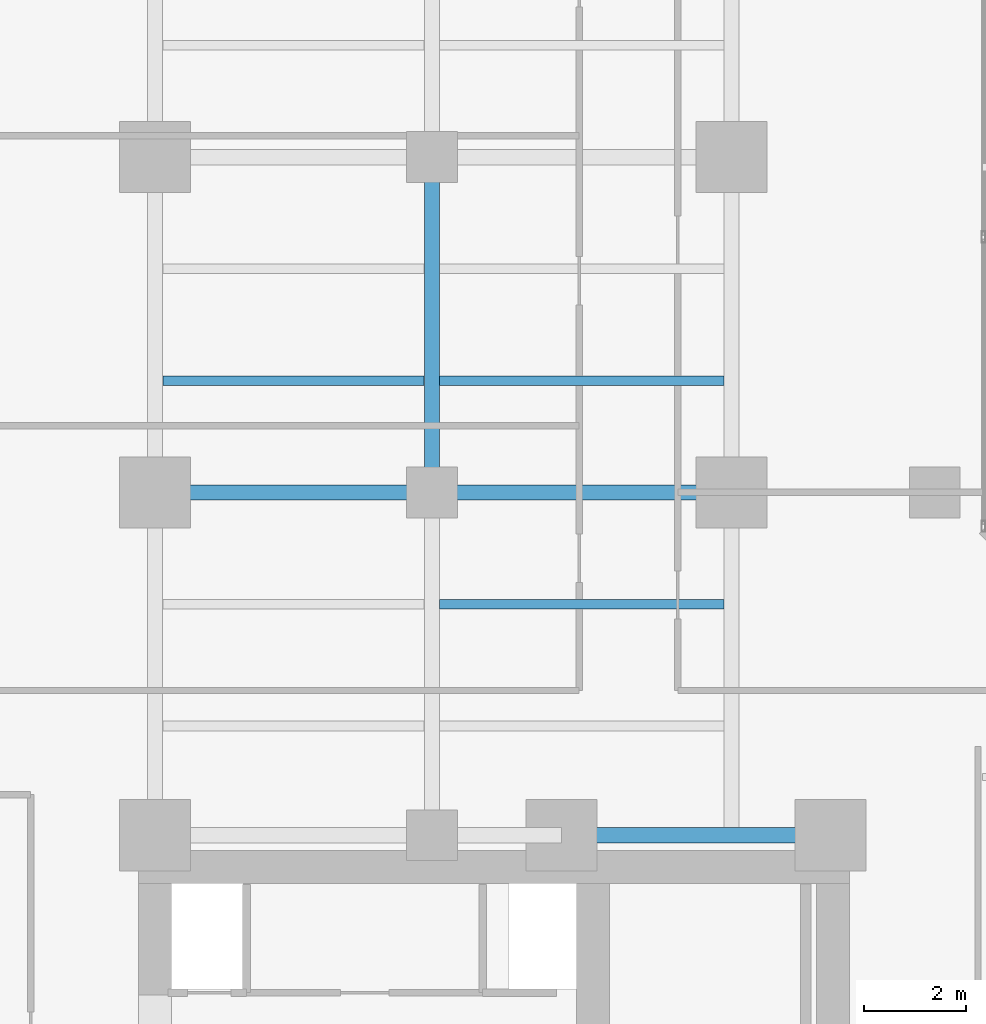
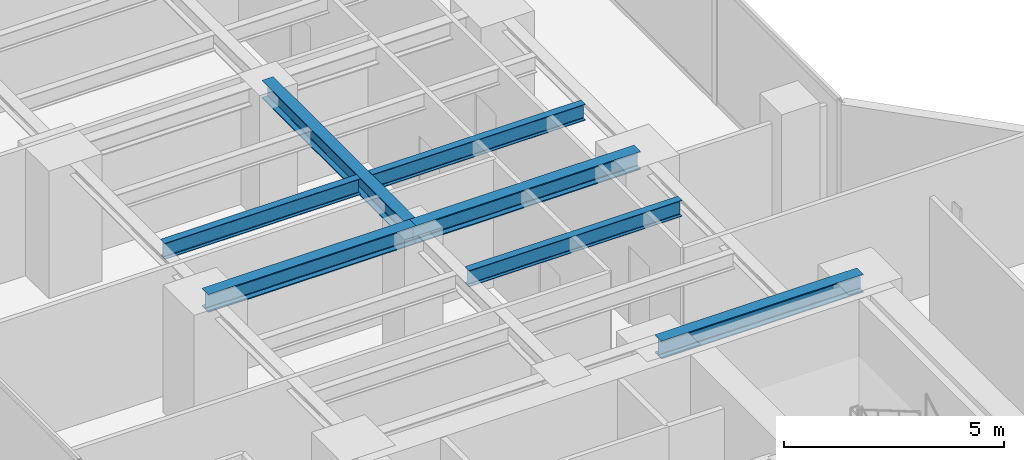
# One storey, part 8 of 24: 7 beams.
"""IFC4 building model written with IfcOpenShell, lengths in metres."""

from ifc_helpers import new_model, si_unit, direction, frame, origin, origin_2d, place, context, subcontext, project, spatial, i_section, extrude, material, material_profile, profile_set, type_object, element, save


model = new_model("IFC4")

# Units and contexts
model_context = context("Model", 3, precision=1e-05, world=origin(), true_north=direction((0.0, 1.0)))
body_context = subcontext(model_context, "Body", "Model", "MODEL_VIEW")
ifc_project = project(units=[si_unit("LENGTHUNIT", "METRE"), si_unit("AREAUNIT", "SQUARE_METRE"), si_unit("VOLUMEUNIT", "CUBIC_METRE"), si_unit("PLANEANGLEUNIT", "RADIAN"), si_unit("MASSUNIT", "GRAM", prefix="KILO")], contexts=[model_context])

# Site, building, storey
site_placement = place(None, origin())
site = spatial("IfcSite", under=ifc_project, at=site_placement, CompositionType="ELEMENT")
building_placement = place(site_placement, origin())
building = spatial("IfcBuilding", under=site, at=building_placement, Name="Kolvaren Waterfront Exchange", CompositionType="ELEMENT")
storey_placement = place(building_placement, frame((0.0, 0.0, 95.5)))
storey = spatial("IfcBuildingStorey", under=building, at=storey_placement, Name="L24", CompositionType="ELEMENT", Elevation=95.5)

# Beams
ifc_material = material(Name="Steel S355", Category="steel")
ifc_material_profile_1 = material_profile(ifc_material, i_section(OverallWidth=0.300048828125, OverallDepth=0.5, WebThickness=0.014404296875, FlangeThickness=0.028076171875, FilletRadius=0.027099609375, at=origin_2d()), Name="HEB500")
ifc_profile_set_1 = profile_set([ifc_material_profile_1], Name="Steel S355")
beam_type_1 = type_object("IfcBeamType", Name="STR-BM-HEB500", PredefinedType="BEAM", material=ifc_profile_set_1)
beam_1_placement = place(storey_placement, frame((15.449951171875, 24.449951171875, 3.2900390625), z_axis=(1.0, 0.0, 0.0), x_axis=(0.0, 1.0, 0.0)))
element("IfcBeam", 1, at=beam_1_placement, inside=storey, type_object=beam_type_1, Name="L24 north-arm girder 1C", PredefinedType="BEAM", context=body_context, shape_type="SweptSolid", body=[
    extrude(i_section(OverallWidth=0.300048828125, OverallDepth=0.5, WebThickness=0.014404296875, FlangeThickness=0.028076171875, FilletRadius=0.027099609375, at=origin_2d()), origin(), (0.0, 0.0, 1.0), 5.300048828125),
])
beam_2_placement = place(storey_placement, frame((7.449951171875, 31.199951171875, 3.2900390625), z_axis=(1.0, 0.0, 0.0), x_axis=(0.0, 1.0, 0.0)))
element("IfcBeam", 2, at=beam_2_placement, inside=storey, type_object=beam_type_1, Name="L24 north-arm girder 2A", PredefinedType="BEAM", context=body_context, shape_type="SweptSolid", body=[
    extrude(i_section(OverallWidth=0.300048828125, OverallDepth=0.5, WebThickness=0.014404296875, FlangeThickness=0.028076171875, FilletRadius=0.027099609375, at=origin_2d()), origin(), (0.0, 0.0, 1.0), 5.449951171875),
])
beam_3_placement = place(storey_placement, frame((12.89990234375, 31.199951171875, 3.2900390625), z_axis=(1.0, 0.0, 0.0), x_axis=(0.0, 1.0, 0.0)))
element("IfcBeam", 3, at=beam_3_placement, inside=storey, type_object=beam_type_1, Name="L24 north-arm girder 2B", PredefinedType="BEAM", context=body_context, shape_type="SweptSolid", body=[
    extrude(i_section(OverallWidth=0.300048828125, OverallDepth=0.5, WebThickness=0.014404296875, FlangeThickness=0.028076171875, FilletRadius=0.027099609375, at=origin_2d()), origin(), (0.0, 0.0, 1.0), 5.900146484375),
])
beam_4_placement = place(storey_placement, frame((12.89990234375, 31.199951171875, 3.2900390625), z_axis=(0.0, 1.0, 0.0), x_axis=(-1.0, 0.0, 0.0)))
element("IfcBeam", 4, at=beam_4_placement, inside=storey, type_object=beam_type_1, Name="L24 north-arm edge beam 2", PredefinedType="BEAM", context=body_context, shape_type="SweptSolid", body=[
    extrude(i_section(OverallWidth=0.300048828125, OverallDepth=0.5, WebThickness=0.014404296875, FlangeThickness=0.028076171875, FilletRadius=0.027099609375, at=origin_2d()), origin(), (0.0, 0.0, 1.0), 6.60009765625),
])
ifc_material_profile_2 = material_profile(ifc_material, i_section(OverallWidth=0.18994140625, OverallDepth=0.449951171875, WebThickness=0.009521484375, FlangeThickness=0.0146484375, FilletRadius=0.02099609375, at=origin_2d()), Name="IPE450")
ifc_profile_set_2 = profile_set([ifc_material_profile_2], Name="Steel S355")
beam_type_2 = type_object("IfcBeamType", Name="STR-BM-IPE450", PredefinedType="JOIST", material=ifc_profile_set_2)
beam_5_placement = place(storey_placement, frame((13.052001953125, 29.0, 3.31494140625), z_axis=(1.0, 0.0, 0.0), x_axis=(0.0, 1.0, 0.0)))
element("IfcBeam", 5, at=beam_5_placement, inside=storey, type_object=beam_type_2, Name="L24 north-arm composite joist 2B", PredefinedType="JOIST", context=body_context, shape_type="SweptSolid", body=[
    extrude(i_section(OverallWidth=0.18994140625, OverallDepth=0.449951171875, WebThickness=0.009521484375, FlangeThickness=0.0146484375, FilletRadius=0.02099609375, at=origin_2d()), origin(), (0.0, 0.0, 1.0), 5.595947265625),
])
beam_6_placement = place(storey_placement, frame((7.60205078125, 33.39990234375, 3.31494140625), z_axis=(1.0, 0.0, 0.0), x_axis=(0.0, 1.0, 0.0)))
element("IfcBeam", 6, at=beam_6_placement, inside=storey, type_object=beam_type_2, Name="L24 north-arm composite joist 3A", PredefinedType="JOIST", context=body_context, shape_type="SweptSolid", body=[
    extrude(i_section(OverallWidth=0.18994140625, OverallDepth=0.449951171875, WebThickness=0.009521484375, FlangeThickness=0.0146484375, FilletRadius=0.02099609375, at=origin_2d()), origin(), (0.0, 0.0, 1.0), 5.14599609375),
])
beam_7_placement = place(storey_placement, frame((13.052001953125, 33.39990234375, 3.31494140625), z_axis=(1.0, 0.0, 0.0), x_axis=(0.0, 1.0, 0.0)))
element("IfcBeam", 7, at=beam_7_placement, inside=storey, type_object=beam_type_2, Name="L24 north-arm composite joist 3B", PredefinedType="JOIST", context=body_context, shape_type="SweptSolid", body=[
    extrude(i_section(OverallWidth=0.18994140625, OverallDepth=0.449951171875, WebThickness=0.009521484375, FlangeThickness=0.0146484375, FilletRadius=0.02099609375, at=origin_2d()), origin(), (0.0, 0.0, 1.0), 5.595947265625),
])

save(model, "model.ifc")
